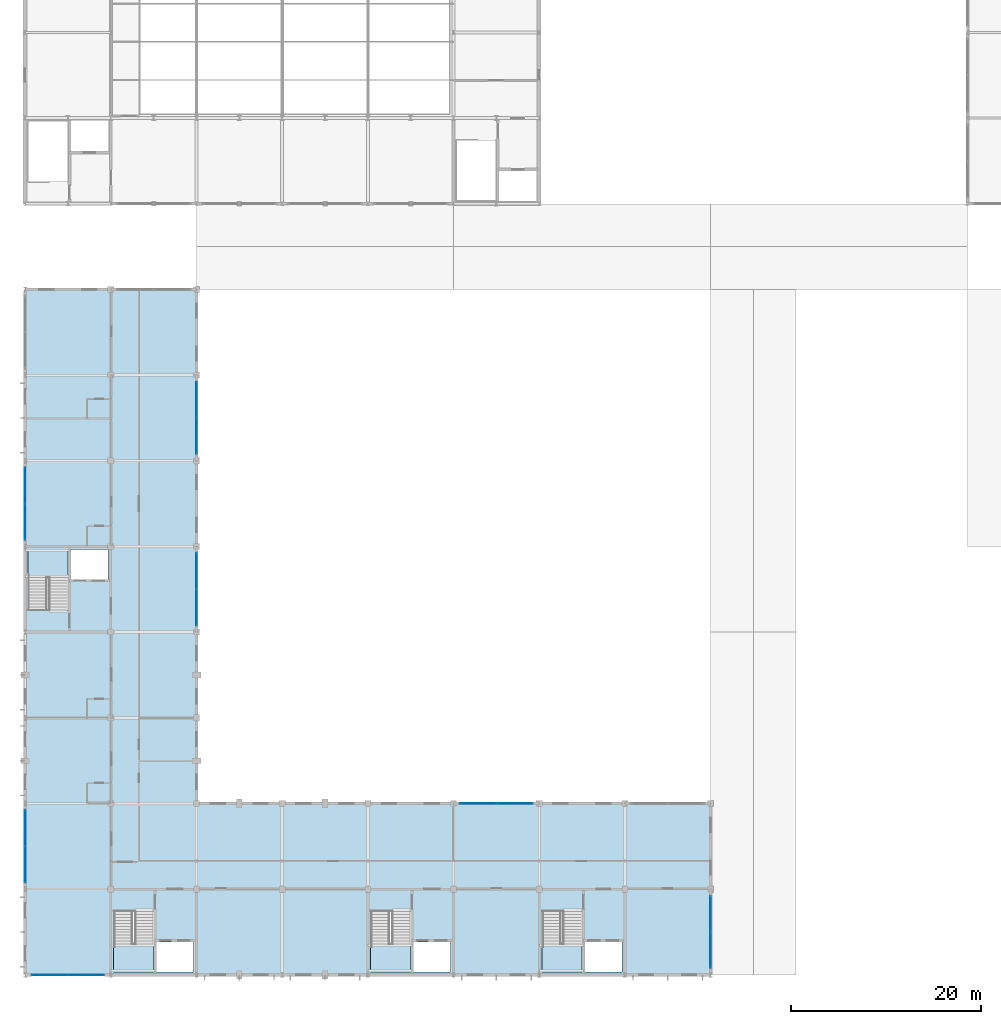
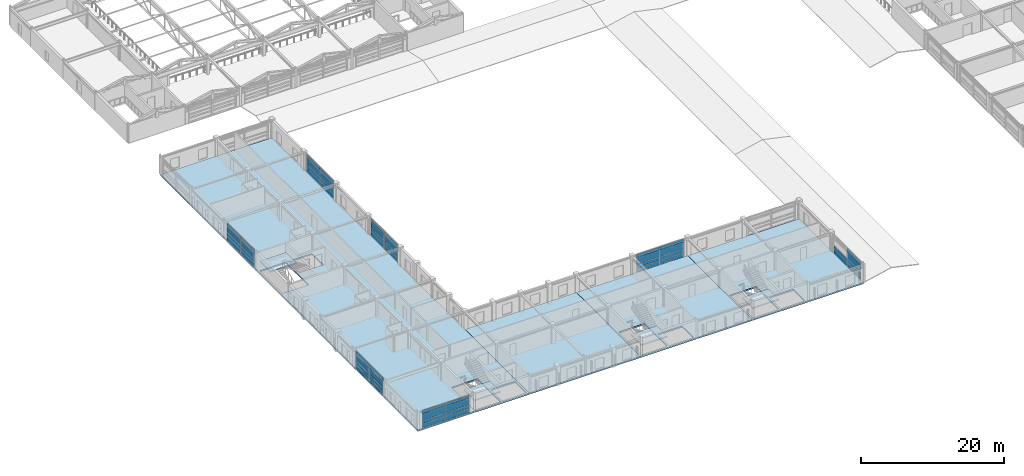
# One storey, part 62 of 91: 54 plates, 8 slabs, 7 elements without a shape of their own.
"""IFC4 building model written with IfcOpenShell, lengths in metres."""

from ifc_helpers import new_model, si_unit, direction, frame, origin, origin_2d, place, context, subcontext, project, spatial, polyline, rectangle, outline, extrude, material, layer, layer_set, type_object, element, aggregate, save


model = new_model("IFC4")

# Units and contexts
model_context = context("Model", 3, precision=1e-05, world=origin(), true_north=direction((0.0, 1.0)))
body_context = subcontext(model_context, "Body", "Model", "MODEL_VIEW")
ifc_project = project(units=[si_unit("LENGTHUNIT", "METRE"), si_unit("AREAUNIT", "SQUARE_METRE"), si_unit("VOLUMEUNIT", "CUBIC_METRE"), si_unit("PLANEANGLEUNIT", "RADIAN"), si_unit("MASSUNIT", "GRAM", prefix="KILO")], contexts=[model_context])

# Site, building, storey
site_placement = place(None, origin())
site = spatial("IfcSite", under=ifc_project, at=site_placement, CompositionType="ELEMENT")
building_placement = place(site_placement, origin())
building = spatial("IfcBuilding", under=site, at=building_placement, Name="Palais des Congres Ocreval", CompositionType="ELEMENT")
storey_placement = place(building_placement, frame((0.0, 0.0, 8.159912109375)))
storey = spatial("IfcBuildingStorey", under=building, at=storey_placement, Name="L02", CompositionType="ELEMENT", Elevation=8.159912109375)

# Curtain wall, plates
ifc_material_1 = material(Name="Anodized bronze aluminium and low-E glass", Category="glass")
curtain_wall_type = type_object("IfcCurtainWallType", Name="Unitised Curtain Wall 7900x3120", PredefinedType="USERDEFINED", material=ifc_material_1)
curtain_wall_1_placement = place(storey_placement, origin())
curtain_wall_1 = element("IfcCurtainWall", 1, at=curtain_wall_1_placement, inside=storey, type_object=curtain_wall_type, Name="Unitised Curtain Wall CW03 L02", ObjectType="UNITISED CURTAIN WALL", PredefinedType="USERDEFINED")
ifc_material_2 = material(Name="Acoustic triple glazing", Category="glass")
ifc_layer_1 = layer(ifc_material_2, 0.0439453125)
ifc_layer_set_1 = layer_set([ifc_layer_1], Name="Acoustic Laminated Glazing Panel 44 (Acoustic triple glazing)")
plate_type_1 = type_object("IfcPlateType", Name="Acoustic Laminated Glazing Panel 44", PredefinedType="CURTAIN_PANEL", material=ifc_layer_set_1)
plate_1_placement = place(storey_placement, frame((0.0, 11.59375, 0.06005859375), z_axis=(0.0, 0.0, 1.0), x_axis=(0.0, 1.0, 0.0)))
plate_1 = element("IfcPlate", 2, at=plate_1_placement, type_object=plate_type_1, Name="Vision Glazing Panel VP02", PredefinedType="CURTAIN_PANEL", context=body_context, shape_type="SweptSolid", body=[
    extrude(rectangle(XDim=3.737548828125, YDim=0.0439453125, at=origin_2d()), origin(), (0.0, 0.0, 1.0), 0.68994140625),
])
plate_2_placement = place(storey_placement, frame((0.0, 11.59375, 0.81005859375), z_axis=(0.0, 0.0, 1.0), x_axis=(0.0, 1.0, 0.0)))
plate_2 = element("IfcPlate", 3, at=plate_2_placement, type_object=plate_type_1, Name="Vision Glazing Panel VP02", PredefinedType="CURTAIN_PANEL", context=body_context, shape_type="SweptSolid", body=[
    extrude(rectangle(XDim=3.737548828125, YDim=0.0439453125, at=origin_2d()), origin(), (0.0, 0.0, 1.0), 0.529541015625),
])
plate_3_placement = place(storey_placement, frame((0.0, 11.59375, 1.399658203125), z_axis=(0.0, 0.0, 1.0), x_axis=(0.0, 1.0, 0.0)))
plate_3 = element("IfcPlate", 4, at=plate_3_placement, type_object=plate_type_1, Name="Vision Glazing Panel VP02", PredefinedType="CURTAIN_PANEL", context=body_context, shape_type="SweptSolid", body=[
    extrude(rectangle(XDim=3.737548828125, YDim=0.0439453125, at=origin_2d()), origin(), (0.0, 0.0, 1.0), 1.060546875),
])
plate_4_placement = place(storey_placement, frame((0.0, 15.40625, 0.06005859375), z_axis=(0.0, 0.0, 1.0), x_axis=(0.0, 1.0, 0.0)))
plate_4 = element("IfcPlate", 5, at=plate_4_placement, type_object=plate_type_1, Name="Vision Glazing Panel VP02", PredefinedType="CURTAIN_PANEL", context=body_context, shape_type="SweptSolid", body=[
    extrude(rectangle(XDim=3.737548828125, YDim=0.0439453125, at=origin_2d()), origin(), (0.0, 0.0, 1.0), 0.68994140625),
])
plate_5_placement = place(storey_placement, frame((0.0, 15.40625, 0.81005859375), z_axis=(0.0, 0.0, 1.0), x_axis=(0.0, 1.0, 0.0)))
plate_5 = element("IfcPlate", 6, at=plate_5_placement, type_object=plate_type_1, Name="Vision Glazing Panel VP02", PredefinedType="CURTAIN_PANEL", context=body_context, shape_type="SweptSolid", body=[
    extrude(rectangle(XDim=3.737548828125, YDim=0.0439453125, at=origin_2d()), origin(), (0.0, 0.0, 1.0), 0.529541015625),
])
plate_6_placement = place(storey_placement, frame((0.0, 15.40625, 1.399658203125), z_axis=(0.0, 0.0, 1.0), x_axis=(0.0, 1.0, 0.0)))
plate_6 = element("IfcPlate", 7, at=plate_6_placement, type_object=plate_type_1, Name="Vision Glazing Panel VP02", PredefinedType="CURTAIN_PANEL", context=body_context, shape_type="SweptSolid", body=[
    extrude(rectangle(XDim=3.737548828125, YDim=0.0439453125, at=origin_2d()), origin(), (0.0, 0.0, 1.0), 1.060546875),
])

curtain_wall_2_placement = place(storey_placement, origin())
curtain_wall_2 = element("IfcCurtainWall", 8, at=curtain_wall_2_placement, inside=storey, type_object=curtain_wall_type, Name="Unitised Curtain Wall CW03 L02", ObjectType="UNITISED CURTAIN WALL", PredefinedType="USERDEFINED")
plate_7_placement = place(storey_placement, frame((47.59375, 18.0, 0.06005859375), z_axis=(0.0, 0.0, 1.0), x_axis=(1.0, 0.0, 0.0)))
plate_7 = element("IfcPlate", 9, at=plate_7_placement, type_object=plate_type_1, Name="Vision Glazing Panel VP02", PredefinedType="CURTAIN_PANEL", context=body_context, shape_type="SweptSolid", body=[
    extrude(rectangle(XDim=3.737548828125, YDim=0.0439453125, at=origin_2d()), origin(), (0.0, 0.0, 1.0), 0.68994140625),
])
plate_8_placement = place(storey_placement, frame((47.59375, 18.0, 0.81005859375), z_axis=(0.0, 0.0, 1.0), x_axis=(1.0, 0.0, 0.0)))
plate_8 = element("IfcPlate", 10, at=plate_8_placement, type_object=plate_type_1, Name="Vision Glazing Panel VP02", PredefinedType="CURTAIN_PANEL", context=body_context, shape_type="SweptSolid", body=[
    extrude(rectangle(XDim=3.737548828125, YDim=0.0439453125, at=origin_2d()), origin(), (0.0, 0.0, 1.0), 0.529541015625),
])
plate_9_placement = place(storey_placement, frame((47.59375, 18.0, 1.399658203125), z_axis=(0.0, 0.0, 1.0), x_axis=(1.0, 0.0, 0.0)))
plate_9 = element("IfcPlate", 11, at=plate_9_placement, type_object=plate_type_1, Name="Vision Glazing Panel VP02", PredefinedType="CURTAIN_PANEL", context=body_context, shape_type="SweptSolid", body=[
    extrude(rectangle(XDim=3.737548828125, YDim=0.0439453125, at=origin_2d()), origin(), (0.0, 0.0, 1.0), 1.060546875),
])
plate_10_placement = place(storey_placement, frame((51.40625, 18.0, 0.06005859375), z_axis=(0.0, 0.0, 1.0), x_axis=(1.0, 0.0, 0.0)))
plate_10 = element("IfcPlate", 12, at=plate_10_placement, type_object=plate_type_1, Name="Vision Glazing Panel VP02", PredefinedType="CURTAIN_PANEL", context=body_context, shape_type="SweptSolid", body=[
    extrude(rectangle(XDim=3.737548828125, YDim=0.0439453125, at=origin_2d()), origin(), (0.0, 0.0, 1.0), 0.68994140625),
])
plate_11_placement = place(storey_placement, frame((51.40625, 18.0, 0.81005859375), z_axis=(0.0, 0.0, 1.0), x_axis=(1.0, 0.0, 0.0)))
plate_11 = element("IfcPlate", 13, at=plate_11_placement, type_object=plate_type_1, Name="Vision Glazing Panel VP02", PredefinedType="CURTAIN_PANEL", context=body_context, shape_type="SweptSolid", body=[
    extrude(rectangle(XDim=3.737548828125, YDim=0.0439453125, at=origin_2d()), origin(), (0.0, 0.0, 1.0), 0.529541015625),
])
plate_12_placement = place(storey_placement, frame((51.40625, 18.0, 1.399658203125), z_axis=(0.0, 0.0, 1.0), x_axis=(1.0, 0.0, 0.0)))
plate_12 = element("IfcPlate", 14, at=plate_12_placement, type_object=plate_type_1, Name="Vision Glazing Panel VP02", PredefinedType="CURTAIN_PANEL", context=body_context, shape_type="SweptSolid", body=[
    extrude(rectangle(XDim=3.737548828125, YDim=0.0439453125, at=origin_2d()), origin(), (0.0, 0.0, 1.0), 1.060546875),
])

curtain_wall_3_placement = place(storey_placement, origin())
curtain_wall_3 = element("IfcCurtainWall", 15, at=curtain_wall_3_placement, inside=storey, type_object=curtain_wall_type, Name="Unitised Curtain Wall CW03 L02", ObjectType="UNITISED CURTAIN WALL", PredefinedType="USERDEFINED")
ifc_material_3 = material(Name="Anodized bronze aluminium", Category="aluminium")
ifc_layer_2 = layer(ifc_material_3, 0.06005859375)
ifc_layer_set_2 = layer_set([ifc_layer_2], Name="Anodized Bronze Spandrel Cassette 60 (Anodized bronze aluminium)")
plate_type_2 = type_object("IfcPlateType", Name="Anodized Bronze Spandrel Cassette 60", PredefinedType="SHEET", material=ifc_layer_set_2)
plate_13_placement = place(storey_placement, frame((6.40625, 0.0, 2.52001953125), z_axis=(0.0, 0.0, 1.0), x_axis=(-1.0, 0.0, 0.0)))
plate_13 = element("IfcPlate", 16, at=plate_13_placement, type_object=plate_type_2, Name="Spandrel Sheet SPN1", PredefinedType="SHEET", context=body_context, shape_type="SweptSolid", body=[
    extrude(rectangle(XDim=3.737548828125, YDim=0.06005859375, at=origin_2d()), origin(), (0.0, 0.0, 1.0), 0.56005859375),
])
plate_14_placement = place(storey_placement, frame((2.59375, 0.0, 2.52001953125), z_axis=(0.0, 0.0, 1.0), x_axis=(-1.0, 0.0, 0.0)))
plate_14 = element("IfcPlate", 17, at=plate_14_placement, type_object=plate_type_2, Name="Spandrel Sheet SPN1", PredefinedType="SHEET", context=body_context, shape_type="SweptSolid", body=[
    extrude(rectangle(XDim=3.737548828125, YDim=0.06005859375, at=origin_2d()), origin(), (0.0, 0.0, 1.0), 0.56005859375),
])

curtain_wall_4_placement = place(storey_placement, origin())
curtain_wall_4 = element("IfcCurtainWall", 18, at=curtain_wall_4_placement, inside=storey, type_object=curtain_wall_type, Name="Unitised Curtain Wall CW03 L02", ObjectType="UNITISED CURTAIN WALL", PredefinedType="USERDEFINED")
plate_15_placement = place(storey_placement, frame((0.0, 47.59375, 2.52001953125), z_axis=(0.0, 0.0, 1.0), x_axis=(0.0, 1.0, 0.0)))
plate_15 = element("IfcPlate", 19, at=plate_15_placement, type_object=plate_type_2, Name="Spandrel Sheet SPN1", PredefinedType="SHEET", context=body_context, shape_type="SweptSolid", body=[
    extrude(rectangle(XDim=3.737548828125, YDim=0.06005859375, at=origin_2d()), origin(), (0.0, 0.0, 1.0), 0.56005859375),
])
plate_16_placement = place(storey_placement, frame((0.0, 51.40625, 2.52001953125), z_axis=(0.0, 0.0, 1.0), x_axis=(0.0, 1.0, 0.0)))
plate_16 = element("IfcPlate", 20, at=plate_16_placement, type_object=plate_type_2, Name="Spandrel Sheet SPN1", PredefinedType="SHEET", context=body_context, shape_type="SweptSolid", body=[
    extrude(rectangle(XDim=3.737548828125, YDim=0.06005859375, at=origin_2d()), origin(), (0.0, 0.0, 1.0), 0.56005859375),
])

curtain_wall_5_placement = place(storey_placement, origin())
curtain_wall_5 = element("IfcCurtainWall", 21, at=curtain_wall_5_placement, inside=storey, type_object=curtain_wall_type, Name="Unitised Curtain Wall CW03 L02", ObjectType="UNITISED CURTAIN WALL", PredefinedType="USERDEFINED")
plate_17_placement = place(storey_placement, frame((18.0, 42.40625, 2.52001953125), z_axis=(0.0, 0.0, 1.0), x_axis=(0.0, -1.0, 0.0)))
plate_17 = element("IfcPlate", 22, at=plate_17_placement, type_object=plate_type_2, Name="Spandrel Sheet SPN1", PredefinedType="SHEET", context=body_context, shape_type="SweptSolid", body=[
    extrude(rectangle(XDim=3.737548828125, YDim=0.06005859375, at=origin_2d()), origin(), (0.0, 0.0, 1.0), 0.56005859375),
])
plate_18_placement = place(storey_placement, frame((18.0, 38.59375, 2.52001953125), z_axis=(0.0, 0.0, 1.0), x_axis=(0.0, -1.0, 0.0)))
plate_18 = element("IfcPlate", 23, at=plate_18_placement, type_object=plate_type_2, Name="Spandrel Sheet SPN1", PredefinedType="SHEET", context=body_context, shape_type="SweptSolid", body=[
    extrude(rectangle(XDim=3.737548828125, YDim=0.06005859375, at=origin_2d()), origin(), (0.0, 0.0, 1.0), 0.56005859375),
])

curtain_wall_6_placement = place(storey_placement, origin())
curtain_wall_6 = element("IfcCurtainWall", 24, at=curtain_wall_6_placement, inside=storey, type_object=curtain_wall_type, Name="Unitised Curtain Wall CW03 L02", ObjectType="UNITISED CURTAIN WALL", PredefinedType="USERDEFINED")
ifc_material_4 = material(Name="Low-E solar-control double glazing", Category="glass")
ifc_layer_3 = layer(ifc_material_4, 0.031982421875)
ifc_layer_set_3 = layer_set([ifc_layer_3], Name="Galleria Clear Vision Panel 32 (Low-E solar-control double glazing)")
plate_type_3 = type_object("IfcPlateType", Name="Galleria Clear Vision Panel 32", PredefinedType="CURTAIN_PANEL", material=ifc_layer_set_3)
plate_19_placement = place(storey_placement, frame((72.0, 6.40625, 0.06005859375), z_axis=(0.0, 0.0, 1.0), x_axis=(0.0, -1.0, 0.0)))
plate_19 = element("IfcPlate", 25, at=plate_19_placement, type_object=plate_type_3, Name="Vision Glazing Panel VP03", PredefinedType="CURTAIN_PANEL", context=body_context, shape_type="SweptSolid", body=[
    extrude(rectangle(XDim=3.737548828125, YDim=0.031982421875, at=origin_2d()), origin(), (0.0, 0.0, 1.0), 0.68994140625),
])
plate_20_placement = place(storey_placement, frame((72.0, 6.40625, 0.81005859375), z_axis=(0.0, 0.0, 1.0), x_axis=(0.0, -1.0, 0.0)))
plate_20 = element("IfcPlate", 26, at=plate_20_placement, type_object=plate_type_3, Name="Vision Glazing Panel VP03", PredefinedType="CURTAIN_PANEL", context=body_context, shape_type="SweptSolid", body=[
    extrude(rectangle(XDim=3.737548828125, YDim=0.031982421875, at=origin_2d()), origin(), (0.0, 0.0, 1.0), 0.529541015625),
])
plate_21_placement = place(storey_placement, frame((72.0, 2.59375, 0.06005859375), z_axis=(0.0, 0.0, 1.0), x_axis=(0.0, -1.0, 0.0)))
plate_21 = element("IfcPlate", 27, at=plate_21_placement, type_object=plate_type_3, Name="Vision Glazing Panel VP03", PredefinedType="CURTAIN_PANEL", context=body_context, shape_type="SweptSolid", body=[
    extrude(rectangle(XDim=3.737548828125, YDim=0.031982421875, at=origin_2d()), origin(), (0.0, 0.0, 1.0), 0.68994140625),
])
plate_22_placement = place(storey_placement, frame((72.0, 2.59375, 0.81005859375), z_axis=(0.0, 0.0, 1.0), x_axis=(0.0, -1.0, 0.0)))
plate_22 = element("IfcPlate", 28, at=plate_22_placement, type_object=plate_type_3, Name="Vision Glazing Panel VP03", PredefinedType="CURTAIN_PANEL", context=body_context, shape_type="SweptSolid", body=[
    extrude(rectangle(XDim=3.737548828125, YDim=0.031982421875, at=origin_2d()), origin(), (0.0, 0.0, 1.0), 0.529541015625),
])
plate_23_placement = place(storey_placement, frame((72.0, 2.59375, 1.399658203125), z_axis=(0.0, 0.0, 1.0), x_axis=(0.0, -1.0, 0.0)))
plate_23 = element("IfcPlate", 29, at=plate_23_placement, type_object=plate_type_3, Name="Vision Glazing Panel VP03", PredefinedType="CURTAIN_PANEL", context=body_context, shape_type="SweptSolid", body=[
    extrude(rectangle(XDim=3.737548828125, YDim=0.031982421875, at=origin_2d()), origin(), (0.0, 0.0, 1.0), 1.060546875),
])

# Plate
plate_24_placement = place(storey_placement, frame((0.0, 47.59375, 0.06005859375), z_axis=(0.0, 0.0, 1.0), x_axis=(0.0, 1.0, 0.0)))
plate_24 = element("IfcPlate", 30, at=plate_24_placement, type_object=plate_type_3, Name="Vision Glazing Panel VP03", PredefinedType="CURTAIN_PANEL", context=body_context, shape_type="SweptSolid", body=[
    extrude(rectangle(XDim=3.737548828125, YDim=0.031982421875, at=origin_2d()), origin(), (0.0, 0.0, 1.0), 0.68994140625),
])

plate_25_placement = place(storey_placement, frame((0.0, 47.59375, 0.81005859375), z_axis=(0.0, 0.0, 1.0), x_axis=(0.0, 1.0, 0.0)))
plate_25 = element("IfcPlate", 31, at=plate_25_placement, type_object=plate_type_3, Name="Vision Glazing Panel VP03", PredefinedType="CURTAIN_PANEL", context=body_context, shape_type="SweptSolid", body=[
    extrude(rectangle(XDim=3.737548828125, YDim=0.031982421875, at=origin_2d()), origin(), (0.0, 0.0, 1.0), 0.529541015625),
])

plate_26_placement = place(storey_placement, frame((0.0, 47.59375, 1.399658203125), z_axis=(0.0, 0.0, 1.0), x_axis=(0.0, 1.0, 0.0)))
plate_26 = element("IfcPlate", 32, at=plate_26_placement, type_object=plate_type_3, Name="Vision Glazing Panel VP03", PredefinedType="CURTAIN_PANEL", context=body_context, shape_type="SweptSolid", body=[
    extrude(rectangle(XDim=3.737548828125, YDim=0.031982421875, at=origin_2d()), origin(), (0.0, 0.0, 1.0), 1.060546875),
])

plate_27_placement = place(storey_placement, frame((0.0, 51.40625, 0.06005859375), z_axis=(0.0, 0.0, 1.0), x_axis=(0.0, 1.0, 0.0)))
plate_27 = element("IfcPlate", 33, at=plate_27_placement, type_object=plate_type_3, Name="Vision Glazing Panel VP03", PredefinedType="CURTAIN_PANEL", context=body_context, shape_type="SweptSolid", body=[
    extrude(rectangle(XDim=3.737548828125, YDim=0.031982421875, at=origin_2d()), origin(), (0.0, 0.0, 1.0), 0.68994140625),
])

plate_28_placement = place(storey_placement, frame((0.0, 51.40625, 0.81005859375), z_axis=(0.0, 0.0, 1.0), x_axis=(0.0, 1.0, 0.0)))
plate_28 = element("IfcPlate", 34, at=plate_28_placement, type_object=plate_type_3, Name="Vision Glazing Panel VP03", PredefinedType="CURTAIN_PANEL", context=body_context, shape_type="SweptSolid", body=[
    extrude(rectangle(XDim=3.737548828125, YDim=0.031982421875, at=origin_2d()), origin(), (0.0, 0.0, 1.0), 0.529541015625),
])

plate_29_placement = place(storey_placement, frame((0.0, 51.40625, 1.399658203125), z_axis=(0.0, 0.0, 1.0), x_axis=(0.0, 1.0, 0.0)))
plate_29 = element("IfcPlate", 35, at=plate_29_placement, type_object=plate_type_3, Name="Vision Glazing Panel VP03", PredefinedType="CURTAIN_PANEL", context=body_context, shape_type="SweptSolid", body=[
    extrude(rectangle(XDim=3.737548828125, YDim=0.031982421875, at=origin_2d()), origin(), (0.0, 0.0, 1.0), 1.060546875),
])

aggregate(curtain_wall_4, [plate_24, plate_25, plate_26, plate_15, plate_27, plate_28, plate_29, plate_16])

# Curtain wall, plates
curtain_wall_7_placement = place(storey_placement, origin())
curtain_wall_7 = element("IfcCurtainWall", 36, at=curtain_wall_7_placement, inside=storey, type_object=curtain_wall_type, Name="Unitised Curtain Wall CW03 L02", ObjectType="UNITISED CURTAIN WALL", PredefinedType="USERDEFINED")
plate_30_placement = place(storey_placement, frame((18.0, 60.40625, 0.06005859375), z_axis=(0.0, 0.0, 1.0), x_axis=(0.0, -1.0, 0.0)))
plate_30 = element("IfcPlate", 37, at=plate_30_placement, type_object=plate_type_3, Name="Vision Glazing Panel VP03", PredefinedType="CURTAIN_PANEL", context=body_context, shape_type="SweptSolid", body=[
    extrude(rectangle(XDim=3.737548828125, YDim=0.031982421875, at=origin_2d()), origin(), (0.0, 0.0, 1.0), 0.68994140625),
])
plate_31_placement = place(storey_placement, frame((18.0, 60.40625, 0.81005859375), z_axis=(0.0, 0.0, 1.0), x_axis=(0.0, -1.0, 0.0)))
plate_31 = element("IfcPlate", 38, at=plate_31_placement, type_object=plate_type_3, Name="Vision Glazing Panel VP03", PredefinedType="CURTAIN_PANEL", context=body_context, shape_type="SweptSolid", body=[
    extrude(rectangle(XDim=3.737548828125, YDim=0.031982421875, at=origin_2d()), origin(), (0.0, 0.0, 1.0), 0.529541015625),
])
plate_32_placement = place(storey_placement, frame((18.0, 60.40625, 1.399658203125), z_axis=(0.0, 0.0, 1.0), x_axis=(0.0, -1.0, 0.0)))
plate_32 = element("IfcPlate", 39, at=plate_32_placement, type_object=plate_type_3, Name="Vision Glazing Panel VP03", PredefinedType="CURTAIN_PANEL", context=body_context, shape_type="SweptSolid", body=[
    extrude(rectangle(XDim=3.737548828125, YDim=0.031982421875, at=origin_2d()), origin(), (0.0, 0.0, 1.0), 1.060546875),
])
plate_33_placement = place(storey_placement, frame((18.0, 56.59375, 0.06005859375), z_axis=(0.0, 0.0, 1.0), x_axis=(0.0, -1.0, 0.0)))
plate_33 = element("IfcPlate", 40, at=plate_33_placement, type_object=plate_type_3, Name="Vision Glazing Panel VP03", PredefinedType="CURTAIN_PANEL", context=body_context, shape_type="SweptSolid", body=[
    extrude(rectangle(XDim=3.737548828125, YDim=0.031982421875, at=origin_2d()), origin(), (0.0, 0.0, 1.0), 0.68994140625),
])
plate_34_placement = place(storey_placement, frame((18.0, 56.59375, 0.81005859375), z_axis=(0.0, 0.0, 1.0), x_axis=(0.0, -1.0, 0.0)))
plate_34 = element("IfcPlate", 41, at=plate_34_placement, type_object=plate_type_3, Name="Vision Glazing Panel VP03", PredefinedType="CURTAIN_PANEL", context=body_context, shape_type="SweptSolid", body=[
    extrude(rectangle(XDim=3.737548828125, YDim=0.031982421875, at=origin_2d()), origin(), (0.0, 0.0, 1.0), 0.529541015625),
])
plate_35_placement = place(storey_placement, frame((18.0, 56.59375, 1.399658203125), z_axis=(0.0, 0.0, 1.0), x_axis=(0.0, -1.0, 0.0)))
plate_35 = element("IfcPlate", 42, at=plate_35_placement, type_object=plate_type_3, Name="Vision Glazing Panel VP03", PredefinedType="CURTAIN_PANEL", context=body_context, shape_type="SweptSolid", body=[
    extrude(rectangle(XDim=3.737548828125, YDim=0.031982421875, at=origin_2d()), origin(), (0.0, 0.0, 1.0), 1.060546875),
])

# Plate
ifc_layer_4 = layer(ifc_material_4, 0.035888671875)
ifc_layer_set_4 = layer_set([ifc_layer_4], Name="Low-E Vision Glazing Panel 36 (Low-E solar-control double glazing)")
plate_type_4 = type_object("IfcPlateType", Name="Low-E Vision Glazing Panel 36", PredefinedType="CURTAIN_PANEL", material=ifc_layer_set_4)
plate_36_placement = place(storey_placement, frame((6.40625, 0.0, 0.06005859375), z_axis=(0.0, 0.0, 1.0), x_axis=(-1.0, 0.0, 0.0)))
plate_36 = element("IfcPlate", 43, at=plate_36_placement, type_object=plate_type_4, Name="Vision Glazing Panel VP01", PredefinedType="CURTAIN_PANEL", context=body_context, shape_type="SweptSolid", body=[
    extrude(rectangle(XDim=3.737548828125, YDim=0.035888671875, at=origin_2d()), origin(), (0.0, 0.0, 1.0), 0.68994140625),
])

plate_37_placement = place(storey_placement, frame((6.40625, 0.0, 0.81005859375), z_axis=(0.0, 0.0, 1.0), x_axis=(-1.0, 0.0, 0.0)))
plate_37 = element("IfcPlate", 44, at=plate_37_placement, type_object=plate_type_4, Name="Vision Glazing Panel VP01", PredefinedType="CURTAIN_PANEL", context=body_context, shape_type="SweptSolid", body=[
    extrude(rectangle(XDim=3.737548828125, YDim=0.035888671875, at=origin_2d()), origin(), (0.0, 0.0, 1.0), 0.529541015625),
])

plate_38_placement = place(storey_placement, frame((6.40625, 0.0, 1.399658203125), z_axis=(0.0, 0.0, 1.0), x_axis=(-1.0, 0.0, 0.0)))
plate_38 = element("IfcPlate", 45, at=plate_38_placement, type_object=plate_type_4, Name="Vision Glazing Panel VP01", PredefinedType="CURTAIN_PANEL", context=body_context, shape_type="SweptSolid", body=[
    extrude(rectangle(XDim=3.737548828125, YDim=0.035888671875, at=origin_2d()), origin(), (0.0, 0.0, 1.0), 1.060546875),
])

plate_39_placement = place(storey_placement, frame((2.59375, 0.0, 0.06005859375), z_axis=(0.0, 0.0, 1.0), x_axis=(-1.0, 0.0, 0.0)))
plate_39 = element("IfcPlate", 46, at=plate_39_placement, type_object=plate_type_4, Name="Vision Glazing Panel VP01", PredefinedType="CURTAIN_PANEL", context=body_context, shape_type="SweptSolid", body=[
    extrude(rectangle(XDim=3.737548828125, YDim=0.035888671875, at=origin_2d()), origin(), (0.0, 0.0, 1.0), 0.68994140625),
])

plate_40_placement = place(storey_placement, frame((2.59375, 0.0, 0.81005859375), z_axis=(0.0, 0.0, 1.0), x_axis=(-1.0, 0.0, 0.0)))
plate_40 = element("IfcPlate", 47, at=plate_40_placement, type_object=plate_type_4, Name="Vision Glazing Panel VP01", PredefinedType="CURTAIN_PANEL", context=body_context, shape_type="SweptSolid", body=[
    extrude(rectangle(XDim=3.737548828125, YDim=0.035888671875, at=origin_2d()), origin(), (0.0, 0.0, 1.0), 0.529541015625),
])

plate_41_placement = place(storey_placement, frame((2.59375, 0.0, 1.399658203125), z_axis=(0.0, 0.0, 1.0), x_axis=(-1.0, 0.0, 0.0)))
plate_41 = element("IfcPlate", 48, at=plate_41_placement, type_object=plate_type_4, Name="Vision Glazing Panel VP01", PredefinedType="CURTAIN_PANEL", context=body_context, shape_type="SweptSolid", body=[
    extrude(rectangle(XDim=3.737548828125, YDim=0.035888671875, at=origin_2d()), origin(), (0.0, 0.0, 1.0), 1.060546875),
])

aggregate(curtain_wall_3, [plate_36, plate_37, plate_38, plate_13, plate_39, plate_40, plate_41, plate_14])

plate_42_placement = place(storey_placement, frame((18.0, 42.40625, 0.06005859375), z_axis=(0.0, 0.0, 1.0), x_axis=(0.0, -1.0, 0.0)))
plate_42 = element("IfcPlate", 49, at=plate_42_placement, type_object=plate_type_4, Name="Vision Glazing Panel VP01", PredefinedType="CURTAIN_PANEL", context=body_context, shape_type="SweptSolid", body=[
    extrude(rectangle(XDim=3.737548828125, YDim=0.035888671875, at=origin_2d()), origin(), (0.0, 0.0, 1.0), 0.68994140625),
])

plate_43_placement = place(storey_placement, frame((18.0, 42.40625, 0.81005859375), z_axis=(0.0, 0.0, 1.0), x_axis=(0.0, -1.0, 0.0)))
plate_43 = element("IfcPlate", 50, at=plate_43_placement, type_object=plate_type_4, Name="Vision Glazing Panel VP01", PredefinedType="CURTAIN_PANEL", context=body_context, shape_type="SweptSolid", body=[
    extrude(rectangle(XDim=3.737548828125, YDim=0.035888671875, at=origin_2d()), origin(), (0.0, 0.0, 1.0), 0.529541015625),
])

plate_44_placement = place(storey_placement, frame((18.0, 42.40625, 1.399658203125), z_axis=(0.0, 0.0, 1.0), x_axis=(0.0, -1.0, 0.0)))
plate_44 = element("IfcPlate", 51, at=plate_44_placement, type_object=plate_type_4, Name="Vision Glazing Panel VP01", PredefinedType="CURTAIN_PANEL", context=body_context, shape_type="SweptSolid", body=[
    extrude(rectangle(XDim=3.737548828125, YDim=0.035888671875, at=origin_2d()), origin(), (0.0, 0.0, 1.0), 1.060546875),
])

plate_45_placement = place(storey_placement, frame((18.0, 38.59375, 0.06005859375), z_axis=(0.0, 0.0, 1.0), x_axis=(0.0, -1.0, 0.0)))
plate_45 = element("IfcPlate", 52, at=plate_45_placement, type_object=plate_type_4, Name="Vision Glazing Panel VP01", PredefinedType="CURTAIN_PANEL", context=body_context, shape_type="SweptSolid", body=[
    extrude(rectangle(XDim=3.737548828125, YDim=0.035888671875, at=origin_2d()), origin(), (0.0, 0.0, 1.0), 0.68994140625),
])

plate_46_placement = place(storey_placement, frame((18.0, 38.59375, 0.81005859375), z_axis=(0.0, 0.0, 1.0), x_axis=(0.0, -1.0, 0.0)))
plate_46 = element("IfcPlate", 53, at=plate_46_placement, type_object=plate_type_4, Name="Vision Glazing Panel VP01", PredefinedType="CURTAIN_PANEL", context=body_context, shape_type="SweptSolid", body=[
    extrude(rectangle(XDim=3.737548828125, YDim=0.035888671875, at=origin_2d()), origin(), (0.0, 0.0, 1.0), 0.529541015625),
])

plate_47_placement = place(storey_placement, frame((18.0, 38.59375, 1.399658203125), z_axis=(0.0, 0.0, 1.0), x_axis=(0.0, -1.0, 0.0)))
plate_47 = element("IfcPlate", 54, at=plate_47_placement, type_object=plate_type_4, Name="Vision Glazing Panel VP01", PredefinedType="CURTAIN_PANEL", context=body_context, shape_type="SweptSolid", body=[
    extrude(rectangle(XDim=3.737548828125, YDim=0.035888671875, at=origin_2d()), origin(), (0.0, 0.0, 1.0), 1.060546875),
])

aggregate(curtain_wall_5, [plate_42, plate_43, plate_44, plate_17, plate_45, plate_46, plate_47, plate_18])

# Slabs
ifc_material_5 = material(Name="Concrete C40/50", Category="concrete")
ifc_layer_5 = layer(ifc_material_5, 0.199951171875)
ifc_layer_set_5 = layer_set([ifc_layer_5], Name="Stair and Ramp Landing Slab 200 Concrete C40/50")
slab_type_1 = type_object("IfcSlabType", Name="Stair and Ramp Landing Slab 200 Concrete C40/50", PredefinedType="LANDING", material=ifc_layer_set_5)
slab_1_placement = place(storey_placement, frame((0.0, 0.0, 1.47998046875)))
element("IfcSlab", 55, at=slab_1_placement, inside=storey, type_object=slab_type_1, Name="Stair Half-Landing ST01 L02", PredefinedType="LANDING", context=body_context, shape_type="SweptSolid", body=[
    extrude(outline(polyline([(9.300048828125, 0.300048828125), (13.5, 0.300048828125), (13.5, 3.239990234375), (9.300048828125, 3.239990234375), (9.300048828125, 0.300048828125)])), origin(), (0.0, 0.0, 1.0), 0.2001953125),
])
slab_2_placement = place(storey_placement, frame((0.0, 0.0, 1.47998046875)))
element("IfcSlab", 56, at=slab_2_placement, inside=storey, type_object=slab_type_1, Name="Stair Half-Landing ST02 L02", PredefinedType="LANDING", context=body_context, shape_type="SweptSolid", body=[
    extrude(outline(polyline([(36.300048828125, 0.300048828125), (40.5, 0.300048828125), (40.5, 3.239990234375), (36.300048828125, 3.239990234375), (36.300048828125, 0.300048828125)])), origin(), (0.0, 0.0, 1.0), 0.2001953125),
])
slab_3_placement = place(storey_placement, frame((0.0, 0.0, 1.47998046875)))
element("IfcSlab", 57, at=slab_3_placement, inside=storey, type_object=slab_type_1, Name="Stair Half-Landing ST03 L02", PredefinedType="LANDING", context=body_context, shape_type="SweptSolid", body=[
    extrude(outline(polyline([(0.300048828125, 41.760009765625), (4.5, 41.760009765625), (4.5, 44.699951171875), (0.300048828125, 44.699951171875), (0.300048828125, 41.760009765625)])), origin(), (0.0, 0.0, 1.0), 0.2001953125),
])
slab_4_placement = place(storey_placement, frame((0.0, 0.0, 1.47998046875)))
element("IfcSlab", 58, at=slab_4_placement, inside=storey, type_object=slab_type_1, Name="Stair Half-Landing ST04 L02", PredefinedType="LANDING", context=body_context, shape_type="SweptSolid", body=[
    extrude(outline(polyline([(54.300048828125, 0.300048828125), (58.5, 0.300048828125), (58.5, 3.239990234375), (54.300048828125, 3.239990234375), (54.300048828125, 0.300048828125)])), origin(), (0.0, 0.0, 1.0), 0.2001953125),
])

# Plate
ifc_material_6 = material(Name="Terracotta ceramic spandrel", Category="masonry")
ifc_layer_6 = layer(ifc_material_6, 0.080078125)
ifc_layer_set_6 = layer_set([ifc_layer_6], Name="Terracotta Insulated Spandrel Sheet 80 (Terracotta ceramic spandrel)")
plate_type_5 = type_object("IfcPlateType", Name="Terracotta Insulated Spandrel Sheet 80", PredefinedType="SHEET", material=ifc_layer_set_6)
plate_48_placement = place(storey_placement, frame((72.0, 2.59375, 2.52001953125), z_axis=(0.0, 0.0, 1.0), x_axis=(0.0, -1.0, 0.0)))
plate_48 = element("IfcPlate", 59, at=plate_48_placement, type_object=plate_type_5, Name="Spandrel Sheet SPN2", PredefinedType="SHEET", context=body_context, shape_type="SweptSolid", body=[
    extrude(rectangle(XDim=3.737548828125, YDim=0.080078125, at=origin_2d()), origin(), (0.0, 0.0, 1.0), 0.56005859375),
])

aggregate(curtain_wall_6, [plate_19, plate_20, plate_21, plate_22, plate_23, plate_48])

plate_49_placement = place(storey_placement, frame((0.0, 11.59375, 2.52001953125), z_axis=(0.0, 0.0, 1.0), x_axis=(0.0, 1.0, 0.0)))
plate_49 = element("IfcPlate", 60, at=plate_49_placement, type_object=plate_type_5, Name="Spandrel Sheet SPN2", PredefinedType="SHEET", context=body_context, shape_type="SweptSolid", body=[
    extrude(rectangle(XDim=3.737548828125, YDim=0.080078125, at=origin_2d()), origin(), (0.0, 0.0, 1.0), 0.56005859375),
])

plate_50_placement = place(storey_placement, frame((0.0, 15.40625, 2.52001953125), z_axis=(0.0, 0.0, 1.0), x_axis=(0.0, 1.0, 0.0)))
plate_50 = element("IfcPlate", 61, at=plate_50_placement, type_object=plate_type_5, Name="Spandrel Sheet SPN2", PredefinedType="SHEET", context=body_context, shape_type="SweptSolid", body=[
    extrude(rectangle(XDim=3.737548828125, YDim=0.080078125, at=origin_2d()), origin(), (0.0, 0.0, 1.0), 0.56005859375),
])

aggregate(curtain_wall_1, [plate_1, plate_2, plate_3, plate_49, plate_4, plate_5, plate_6, plate_50])

plate_51_placement = place(storey_placement, frame((18.0, 60.40625, 2.52001953125), z_axis=(0.0, 0.0, 1.0), x_axis=(0.0, -1.0, 0.0)))
plate_51 = element("IfcPlate", 62, at=plate_51_placement, type_object=plate_type_5, Name="Spandrel Sheet SPN2", PredefinedType="SHEET", context=body_context, shape_type="SweptSolid", body=[
    extrude(rectangle(XDim=3.737548828125, YDim=0.080078125, at=origin_2d()), origin(), (0.0, 0.0, 1.0), 0.56005859375),
])

plate_52_placement = place(storey_placement, frame((18.0, 56.59375, 2.52001953125), z_axis=(0.0, 0.0, 1.0), x_axis=(0.0, -1.0, 0.0)))
plate_52 = element("IfcPlate", 63, at=plate_52_placement, type_object=plate_type_5, Name="Spandrel Sheet SPN2", PredefinedType="SHEET", context=body_context, shape_type="SweptSolid", body=[
    extrude(rectangle(XDim=3.737548828125, YDim=0.080078125, at=origin_2d()), origin(), (0.0, 0.0, 1.0), 0.56005859375),
])

aggregate(curtain_wall_7, [plate_30, plate_31, plate_32, plate_51, plate_33, plate_34, plate_35, plate_52])

plate_53_placement = place(storey_placement, frame((47.59375, 18.0, 2.52001953125), z_axis=(0.0, 0.0, 1.0), x_axis=(1.0, 0.0, 0.0)))
plate_53 = element("IfcPlate", 64, at=plate_53_placement, type_object=plate_type_5, Name="Spandrel Sheet SPN2", PredefinedType="SHEET", context=body_context, shape_type="SweptSolid", body=[
    extrude(rectangle(XDim=3.737548828125, YDim=0.080078125, at=origin_2d()), origin(), (0.0, 0.0, 1.0), 0.56005859375),
])

plate_54_placement = place(storey_placement, frame((51.40625, 18.0, 2.52001953125), z_axis=(0.0, 0.0, 1.0), x_axis=(1.0, 0.0, 0.0)))
plate_54 = element("IfcPlate", 65, at=plate_54_placement, type_object=plate_type_5, Name="Spandrel Sheet SPN2", PredefinedType="SHEET", context=body_context, shape_type="SweptSolid", body=[
    extrude(rectangle(XDim=3.737548828125, YDim=0.080078125, at=origin_2d()), origin(), (0.0, 0.0, 1.0), 0.56005859375),
])

aggregate(curtain_wall_2, [plate_7, plate_8, plate_9, plate_53, plate_10, plate_11, plate_12, plate_54])

# Slabs
ifc_layer_7 = layer(ifc_material_5, 0.239990234375)
ifc_layer_set_7 = layer_set([ifc_layer_7], Name="Transfer and Crown Floor Slab 240 Concrete C40/50")
slab_type_2 = type_object("IfcSlabType", Name="Transfer and Crown Floor Slab 240 Concrete C40/50", PredefinedType="FLOOR", material=ifc_layer_set_7)
slab_5_placement = place(storey_placement, frame((0.0, 0.0, -0.239990234375)))
element("IfcSlab", 66, at=slab_5_placement, inside=storey, type_object=slab_type_2, Name="Floor Slab SL10 L02 V4-1", PredefinedType="FLOOR", context=body_context, shape_type="SweptSolid", body=[
    extrude(outline(polyline([(0.0, 0.0), (0.0, 18.0), (0.0, 72.0), (18.0, 72.0), (18.0, 18.0), (18.0, 0.0), (0.0, 0.0)]), holes=[polyline([(13.800048828125, 3.449951171875), (13.800048828125, 0.300048828125), (17.699951171875, 0.300048828125), (17.699951171875, 3.449951171875), (13.800048828125, 3.449951171875)]), polyline([(9.300048828125, 6.64990234375), (9.300048828125, 0.300048828125), (13.5, 0.300048828125), (13.5, 6.64990234375), (9.300048828125, 6.64990234375)]), polyline([(0.300048828125, 44.699951171875), (0.300048828125, 38.35009765625), (4.5, 38.35009765625), (4.5, 44.699951171875), (0.300048828125, 44.699951171875)]), polyline([(4.800048828125, 44.699951171875), (4.800048828125, 41.550048828125), (8.699951171875, 41.550048828125), (8.699951171875, 44.699951171875), (4.800048828125, 44.699951171875)])]), origin(), (0.0, 0.0, 1.0), 0.239990234375),
])
slab_6_placement = place(storey_placement, frame((0.0, 0.0, -0.239990234375)))
element("IfcSlab", 67, at=slab_6_placement, inside=storey, type_object=slab_type_2, Name="Floor Slab SL10 L02 V4-2", PredefinedType="FLOOR", context=body_context, shape_type="SweptSolid", body=[
    extrude(outline(polyline([(18.0, 0.0), (18.0, 18.0), (36.0, 18.0), (36.0, 0.0), (18.0, 0.0)])), origin(), (0.0, 0.0, 1.0), 0.239990234375),
])
slab_7_placement = place(storey_placement, frame((0.0, 0.0, -0.239990234375)))
element("IfcSlab", 68, at=slab_7_placement, inside=storey, type_object=slab_type_2, Name="Floor Slab SL10 L02 V4-3", PredefinedType="FLOOR", context=body_context, shape_type="SweptSolid", body=[
    extrude(outline(polyline([(36.0, 0.0), (36.0, 18.0), (54.0, 18.0), (54.0, 0.0), (36.0, 0.0)]), holes=[polyline([(40.800048828125, 3.449951171875), (40.800048828125, 0.300048828125), (44.699951171875, 0.300048828125), (44.699951171875, 3.449951171875), (40.800048828125, 3.449951171875)]), polyline([(36.300048828125, 6.64990234375), (36.300048828125, 0.300048828125), (40.5, 0.300048828125), (40.5, 6.64990234375), (36.300048828125, 6.64990234375)])]), origin(), (0.0, 0.0, 1.0), 0.239990234375),
])
slab_8_placement = place(storey_placement, frame((0.0, 0.0, -0.239990234375)))
element("IfcSlab", 69, at=slab_8_placement, inside=storey, type_object=slab_type_2, Name="Floor Slab SL10 L02 V4-4", PredefinedType="FLOOR", context=body_context, shape_type="SweptSolid", body=[
    extrude(outline(polyline([(54.0, 0.0), (54.0, 18.0), (72.0, 18.0), (72.0, 0.0), (54.0, 0.0)]), holes=[polyline([(58.800048828125, 3.449951171875), (58.800048828125, 0.300048828125), (62.699951171875, 0.300048828125), (62.699951171875, 3.449951171875), (58.800048828125, 3.449951171875)]), polyline([(58.5, 6.64990234375), (54.300048828125, 6.64990234375), (54.300048828125, 0.300048828125), (58.5, 0.300048828125), (58.5, 6.64990234375)])]), origin(), (0.0, 0.0, 1.0), 0.239990234375),
])

save(model, "model.ifc")
